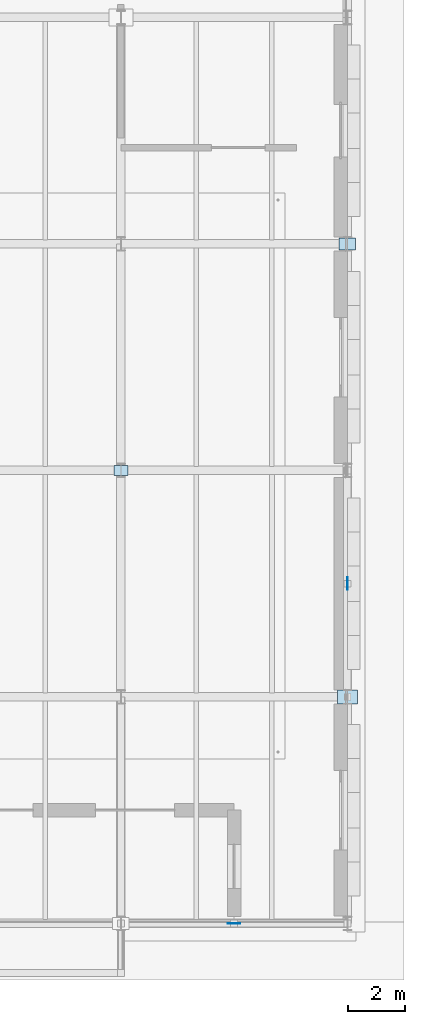
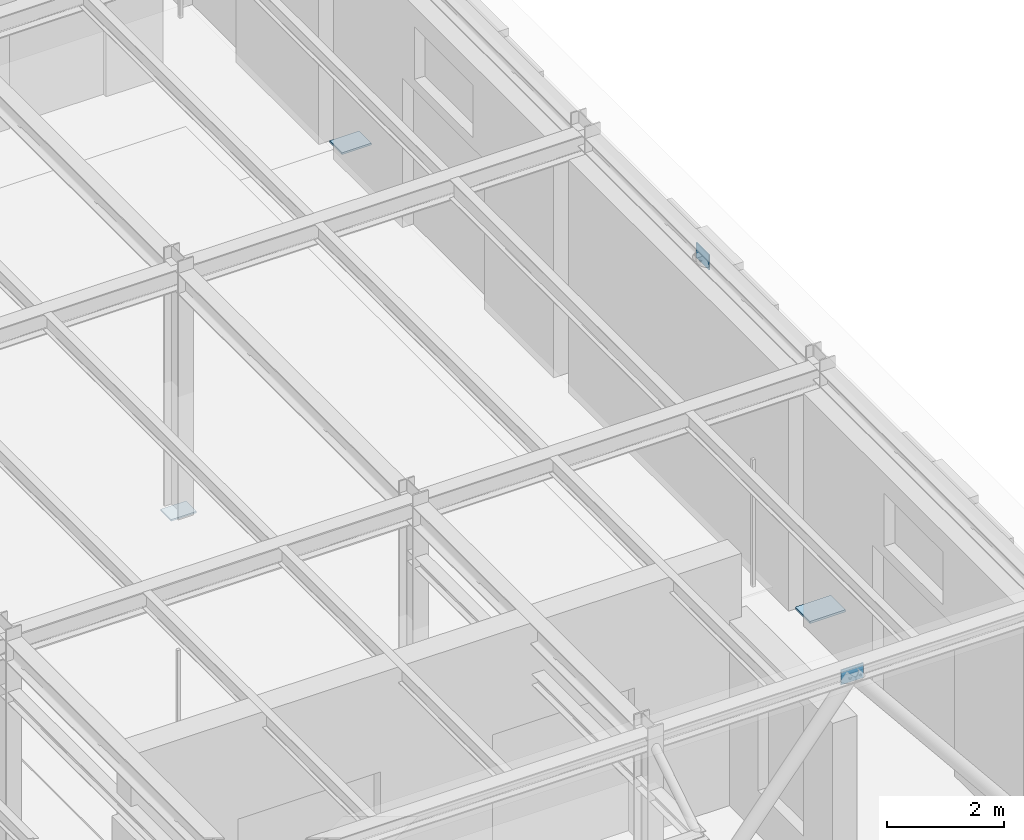
# One storey, part 72 of 129: 5 plates.
"""IFC4 building model written with IfcOpenShell, lengths in metres."""

from ifc_helpers import new_model, si_unit, direction, frame, origin, origin_2d, place, context, subcontext, project, spatial, rectangle, extrude, material, layer, layer_set, type_object, element, save


model = new_model("IFC4")

# Units and contexts
model_context = context("Model", 3, precision=1e-05, world=origin(), true_north=direction((0.0, 1.0)))
body_context = subcontext(model_context, "Body", "Model", "MODEL_VIEW")
ifc_project = project(units=[si_unit("LENGTHUNIT", "METRE"), si_unit("AREAUNIT", "SQUARE_METRE"), si_unit("VOLUMEUNIT", "CUBIC_METRE"), si_unit("PLANEANGLEUNIT", "RADIAN"), si_unit("MASSUNIT", "GRAM", prefix="KILO")], contexts=[model_context])

# Site, building, storey
site_placement = place(None, origin())
site = spatial("IfcSite", under=ifc_project, at=site_placement, CompositionType="ELEMENT")
building_placement = place(site_placement, origin())
building = spatial("IfcBuilding", under=site, at=building_placement, Name="Sundkrona Museum", CompositionType="ELEMENT")
storey_placement = place(building_placement, origin())
storey = spatial("IfcBuildingStorey", under=building, at=storey_placement, Name="L00", CompositionType="ELEMENT", Elevation=0.0)

# Plates
ifc_material = material(Name="Steel S355J2", Category="steel")
ifc_layer_1 = layer(ifc_material, 0.044921875)
ifc_layer_set_1 = layer_set([ifc_layer_1], Name="Steel S355J2")
plate_type_1 = type_object("IfcPlateType", Name="BP-2", PredefinedType="USERDEFINED", material=ifc_layer_set_1)
plate_1_placement = place(storey_placement, frame((168.0, 8.0, 0.0), z_axis=(0.0, 0.0, 1.0), x_axis=(1.0, 0.0, 0.0)))
element("IfcPlate", 1, at=plate_1_placement, inside=storey, type_object=plate_type_1, Name="Column Base Plate B/22", ObjectType="GUSSET PLATE", PredefinedType="USERDEFINED", context=body_context, shape_type="SweptSolid", body=[
    extrude(rectangle(XDim=0.699951171875, YDim=0.5, at=origin_2d()), origin(), (0.0, 0.0, 1.0), 0.044921875),
])
ifc_layer_2 = layer(ifc_material, 0.0380859375)
ifc_layer_set_2 = layer_set([ifc_layer_2], Name="Steel S355J2")
plate_type_2 = type_object("IfcPlateType", Name="BP-3", PredefinedType="USERDEFINED", material=ifc_layer_set_2)
plate_2_placement = place(storey_placement, frame((168.0, 24.0, 0.0), z_axis=(0.0, 0.0, 1.0), x_axis=(1.0, 0.0, 0.0)))
element("IfcPlate", 2, at=plate_2_placement, inside=storey, type_object=plate_type_2, Name="Column Base Plate D/22", ObjectType="GUSSET PLATE", PredefinedType="USERDEFINED", context=body_context, shape_type="SweptSolid", body=[
    extrude(rectangle(XDim=0.580078125, YDim=0.419921875, at=origin_2d()), origin(), (0.0, 0.0, 1.0), 0.0380859375),
])
ifc_layer_3 = layer(ifc_material, 0.031982421875)
ifc_layer_set_3 = layer_set([ifc_layer_3], Name="Steel S355J2")
plate_type_3 = type_object("IfcPlateType", Name="BP-4", PredefinedType="USERDEFINED", material=ifc_layer_set_3)
plate_3_placement = place(storey_placement, frame((160.0, 16.0, 0.0), z_axis=(0.0, 0.0, 1.0), x_axis=(1.0, 0.0, 0.0)))
element("IfcPlate", 3, at=plate_3_placement, inside=storey, type_object=plate_type_3, Name="Column Base Plate C/21", ObjectType="GUSSET PLATE", PredefinedType="USERDEFINED", context=body_context, shape_type="SweptSolid", body=[
    extrude(rectangle(XDim=0.5, YDim=0.360107421875, at=origin_2d()), origin(), (0.0, 0.0, 1.0), 0.031982421875),
])
ifc_layer_4 = layer(ifc_material, 0.02197265625)
ifc_layer_set_4 = layer_set([ifc_layer_4], Name="Steel S355J2")
plate_type_4 = type_object("IfcPlateType", Name="GP-5", PredefinedType="USERDEFINED", material=ifc_layer_set_4)
for number, where, z_axis, x_axis, name in (
    (4, (164.0, 0.0, 4.784912109375), (0.0, 0.0, 1.0), (1.0, 0.0, 0.0), "L00 Chevron Apex Gusset Plate 002"),
    (5, (168.0, 12.0, 4.784912109375), (0.0, 0.0, 1.0), (0.0, 1.0, 0.0), "L00 Chevron Apex Gusset Plate 008"),
):
    element("IfcPlate", number, at=place(storey_placement, frame(where, z_axis=z_axis, x_axis=x_axis)), inside=storey, type_object=plate_type_4, Name=name, ObjectType="GUSSET PLATE", PredefinedType="USERDEFINED", context=body_context, shape_type="SweptSolid", body=[
        extrude(rectangle(XDim=0.43994140625, YDim=0.02197265625, at=origin_2d()), origin(), (0.0, 0.0, 1.0), 0.31005859375),
    ])

save(model, "model.ifc")
